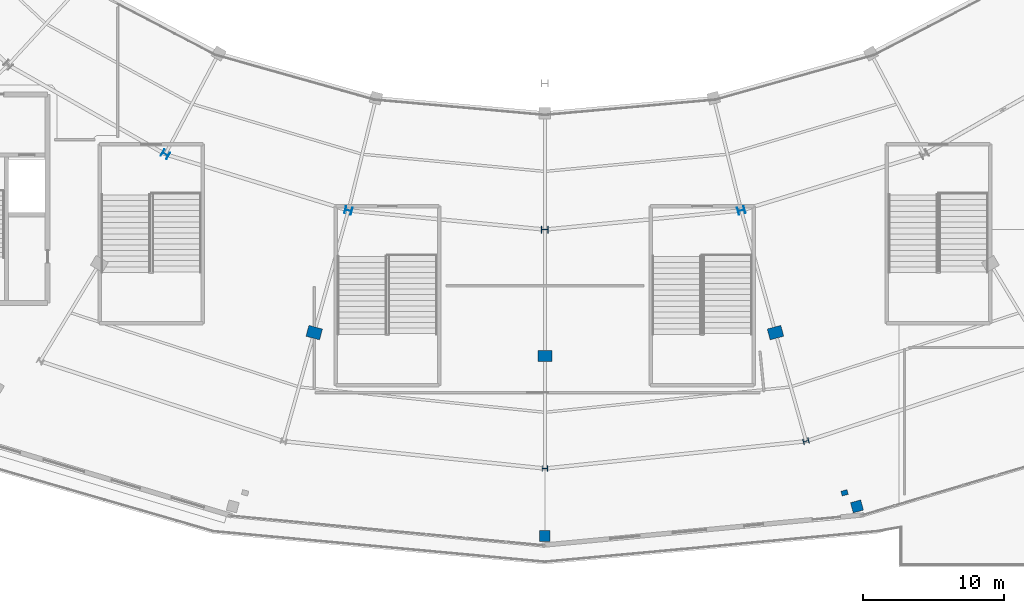
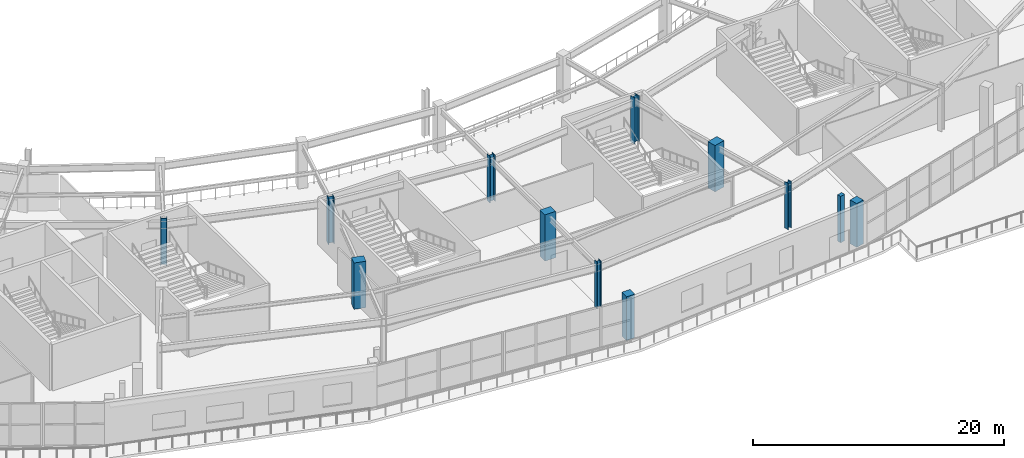
# One storey, part 4 of 107: 12 columns.
"""IFC4 building model written with IfcOpenShell, lengths in metres."""

from ifc_helpers import new_model, si_unit, direction, frame, origin, origin_2d, place, context, subcontext, project, spatial, rectangle, i_section, extrude, material, material_profile, profile_set, type_object, element, save


model = new_model("IFC4")

# Units and contexts
model_context = context("Model", 3, precision=1e-05, world=origin(), true_north=direction((0.0, 1.0)))
body_context = subcontext(model_context, "Body", "Model", "MODEL_VIEW")
ifc_project = project(units=[si_unit("LENGTHUNIT", "METRE"), si_unit("AREAUNIT", "SQUARE_METRE"), si_unit("VOLUMEUNIT", "CUBIC_METRE"), si_unit("PLANEANGLEUNIT", "RADIAN"), si_unit("MASSUNIT", "GRAM", prefix="KILO")], contexts=[model_context])

# Site, building, storey
site_placement = place(None, origin())
site = spatial("IfcSite", under=ifc_project, at=site_placement, CompositionType="ELEMENT")
building_placement = place(site_placement, origin())
building = spatial("IfcBuilding", under=site, at=building_placement, Name="Kalgoora Escarpment Arena", CompositionType="ELEMENT")
storey_placement = place(building_placement, frame((0.0, 0.0, 5.39990234375)))
storey = spatial("IfcBuildingStorey", under=building, at=storey_placement, Name="L01", CompositionType="ELEMENT", Elevation=5.39990234375)

# Columns
ifc_material_1 = material(Name="Structural steel Grade 350 (350 MPa)", Category="steel")
ifc_material_profile_1 = material_profile(ifc_material_1, i_section(OverallWidth=0.39990234375, OverallDepth=0.39990234375, WebThickness=0.01806640625, FlangeThickness=0.031982421875, at=origin_2d()))
ifc_profile_set_1 = profile_set([ifc_material_profile_1], Name="Structural steel Grade 350 (350 MPa)")
column_type_1 = type_object("IfcColumnType", Name="COL-COL-400WC270", PredefinedType="COLUMN", material=ifc_profile_set_1)
for number, where, z_axis, x_axis, name in (
    (1, (92.39990234375, 7.0, 0.0), (0.0, 0.0, 1.0), (0.0, -1.0, 0.0), "L01 structural column COL-RCONC2-R19"),
    (2, (110.983154296875, 8.942138671875, 0.0), (0.0, 0.0, 1.0), (0.258819045103, -0.965925826289, 0.0), "L01 structural column COL-RCONC2-R20"),
):
    element("IfcColumn", number, at=place(storey_placement, frame(where, z_axis=z_axis, x_axis=x_axis)), inside=storey, type_object=column_type_1, Name=name, PredefinedType="COLUMN", context=body_context, shape_type="SweptSolid", body=[
        extrude(i_section(OverallWidth=0.39990234375, OverallDepth=0.39990234375, WebThickness=0.01806640625, FlangeThickness=0.031982421875, at=origin_2d()), origin(), (0.0, 0.0, 1.0), 4.5),
    ])
ifc_material_2 = material(Name="Structural steel Grade 350 (350 MPa)", Category="steel")
ifc_material_profile_2 = material_profile(ifc_material_2, i_section(OverallWidth=0.5, OverallDepth=0.5, WebThickness=0.02001953125, FlangeThickness=0.034912109375, at=origin_2d()))
ifc_profile_set_2 = profile_set([ifc_material_profile_2], Name="Structural steel Grade 350 (350 MPa)")
column_type_2 = type_object("IfcColumnType", Name="COL-COL-500WC340", PredefinedType="COLUMN", material=ifc_profile_set_2)
for number, where, z_axis, x_axis, name in (
    (3, (65.39990234375, 29.35888671875, 0.0), (0.0, 0.0, 1.0), (-0.5, -0.866025403784, 0.0), "L01 structural column COL-RMAIN-R17"),
    (4, (78.423828125, 25.363037109375, 0.0), (0.0, 0.0, 1.0), (-0.258819045103, -0.965925826289, 0.0), "L01 structural column COL-RMAIN-R18"),
    (5, (92.39990234375, 24.0, 0.0), (0.0, 0.0, 1.0), (0.0, -1.0, 0.0), "L01 structural column COL-RMAIN-R19"),
    (6, (106.376220703125, 25.363037109375, 0.0), (0.0, 0.0, 1.0), (0.258819045103, -0.965925826289, 0.0), "L01 structural column COL-RMAIN-R20"),
):
    element("IfcColumn", number, at=place(storey_placement, frame(where, z_axis=z_axis, x_axis=x_axis)), inside=storey, type_object=column_type_2, Name=name, PredefinedType="COLUMN", context=body_context, shape_type="SweptSolid", body=[
        extrude(i_section(OverallWidth=0.5, OverallDepth=0.5, WebThickness=0.02001953125, FlangeThickness=0.034912109375, at=origin_2d()), origin(), (0.0, 0.0, 1.0), 4.5),
    ])
ifc_material_3 = material(Name="Concrete N50 (fc' 50 MPa)", Category="concrete")
ifc_material_profile_3 = material_profile(ifc_material_3, rectangle(XDim=0.800048828125, YDim=1.0, at=origin_2d()))
ifc_profile_set_3 = profile_set([ifc_material_profile_3], Name="Concrete N50 (fc' 50 MPa)")
column_type_3 = type_object("IfcColumnType", Name="COL-COL-RC1000x800", PredefinedType="COLUMN", material=ifc_profile_set_3)
for number, where, z_axis, x_axis, name in (
    (7, (75.990966796875, 16.669677734375, 0.0), (0.0, 0.0, 1.0), (-0.258819045103, -0.965925826289, 0.0), "L01 structural column COL-RCONC1-R18"),
    (8, (92.39990234375, 15.0, 0.0), (0.0, 0.0, 1.0), (0.0, -1.0, 0.0), "L01 structural column COL-RCONC1-R19"),
    (9, (108.80908203125, 16.669677734375, 0.0), (0.0, 0.0, 1.0), (0.258819045103, -0.965925826289, 0.0), "L01 structural column COL-RCONC1-R20"),
):
    element("IfcColumn", number, at=place(storey_placement, frame(where, z_axis=z_axis, x_axis=x_axis)), inside=storey, type_object=column_type_3, Name=name, PredefinedType="COLUMN", context=body_context, shape_type="SweptSolid", body=[
        extrude(rectangle(XDim=0.800048828125, YDim=1.0, at=origin_2d()), origin(), (0.0, 0.0, 1.0), 4.5),
    ])
ifc_material_4 = material(Name="Concrete N50 (fc' 50 MPa)", Category="concrete")
ifc_material_profile_4 = material_profile(ifc_material_4, rectangle(XDim=0.75, YDim=0.75, at=origin_2d()))
ifc_profile_set_4 = profile_set([ifc_material_profile_4], Name="Concrete N50 (fc' 50 MPa)")
column_type_4 = type_object("IfcColumnType", Name="COL-COL-RC750x750", PredefinedType="COLUMN", material=ifc_profile_set_4)
for number, where, z_axis, x_axis, name in (
    (10, (92.39990234375, 2.199951171875, 0.0), (0.0, 0.0, 1.0), (0.0, -1.0, 0.0), "L01 structural column COL-RBASE2-R19"),
    (11, (114.606689453125, 4.305908203125, 0.0), (0.0, 0.0, 1.0), (0.258819045103, -0.965925826289, 0.0), "L01 structural column COL-RBASE2-R20"),
):
    element("IfcColumn", number, at=place(storey_placement, frame(where, z_axis=z_axis, x_axis=x_axis)), inside=storey, type_object=column_type_4, Name=name, PredefinedType="COLUMN", context=body_context, shape_type="SweptSolid", body=[
        extrude(rectangle(XDim=0.75, YDim=0.75, at=origin_2d()), origin(), (0.0, 0.0, 1.0), 4.25),
    ])
ifc_material_5 = material(Name="Precast concrete N50 (fc' 50 MPa)", Category="concrete")
ifc_material_profile_5 = material_profile(ifc_material_5, rectangle(XDim=0.35009765625, YDim=0.449951171875, at=origin_2d()))
ifc_profile_set_5 = profile_set([ifc_material_profile_5], Name="Precast concrete N50 (fc' 50 MPa)")
column_type_5 = type_object("IfcColumnType", Name="COL-PIL-PC-PILASTER-450x350", PredefinedType="PILASTER", material=ifc_profile_set_5)
column_placement = place(storey_placement, frame((113.72705078125, 5.27197265625, 0.0), z_axis=(0.0, 0.0, 1.0), x_axis=(0.258819045103, -0.965925826289, 0.0)))
element("IfcColumn", 12, at=column_placement, inside=storey, type_object=column_type_5, Name="L01 fluted pilaster PIL-065", PredefinedType="PILASTER", context=body_context, shape_type="SweptSolid", body=[
    extrude(rectangle(XDim=0.35009765625, YDim=0.449951171875, at=origin_2d()), origin(), (0.0, 0.0, 1.0), 4.5),
])

save(model, "model.ifc")
